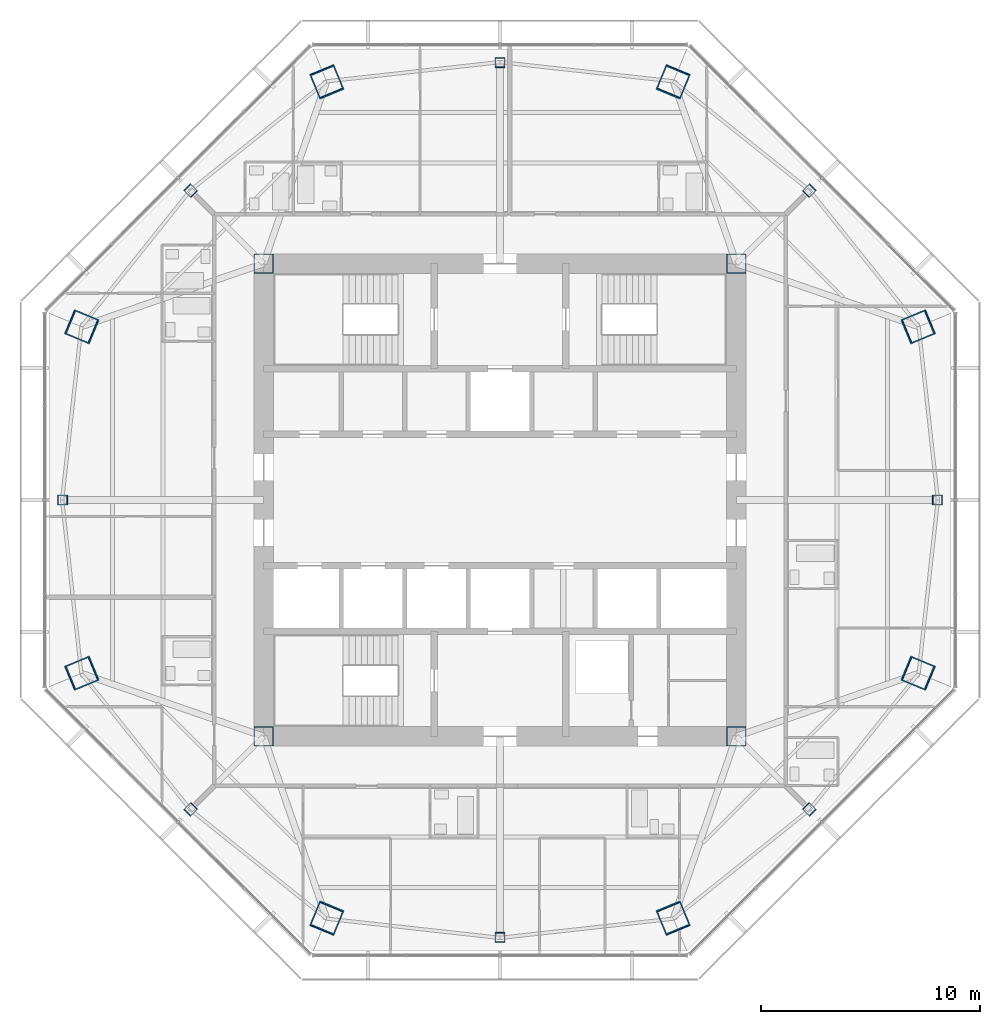
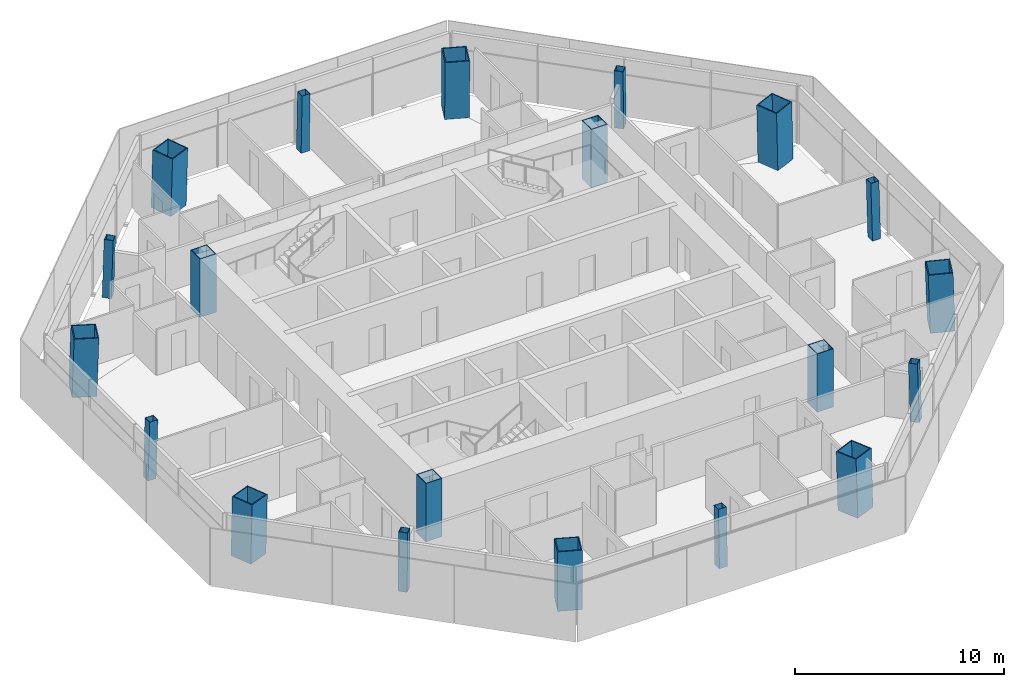
# One storey, part 1 of 14: 20 columns.
"""IFC4 building model written with IfcOpenShell, lengths in metres."""

import ifcopenshell
import ifcopenshell.guid

model = None  # the IFC model being written
_history = None  # IfcOwnerHistory: only IFC2X3 demands one
_inside = {}  # id of a spatial element -> (the spatial element, [elements in it])
_under = {}  # id of a project, library or spatial element -> (it, [spatial elements below it])
_declared = {}  # id of a project -> (the project, [libraries it declares])
_typed = {}  # id of a type object -> (the type object, [elements of that type])
_made_of = {}  # id of a material, layer set ... -> (it, [elements and type objects made of it])


def new_model(schema):
    """Start an empty IFC model of exactly this schema.

    Asked for "IFC4X3", IfcOpenShell would pick the latest addendum, in which some entities
    have other attributes; the version numbers below select the first issue.
    IFC2X3 requires an IfcOwnerHistory on every rooted entity: one is made here for all.
    """
    global model, _history
    if schema == "IFC4X3":
        model = ifcopenshell.file(schema_version=(4, 3, 0, 0))
    else:
        model = ifcopenshell.file(schema=schema)
    _inside.clear()
    _under.clear()
    _declared.clear()
    _typed.clear()
    _made_of.clear()
    _history = None
    if model.schema == "IFC2X3":
        org = make("IfcOrganization", Name="unknown")
        user = make(
            "IfcPersonAndOrganization",
            ThePerson=make("IfcPerson", FamilyName="unknown"),
            TheOrganization=org,
        )
        app = make(
            "IfcApplication",
            ApplicationDeveloper=org,
            Version="unknown",
            ApplicationFullName="unknown",
            ApplicationIdentifier="unknown",
        )
        _history = make(
            "IfcOwnerHistory",
            OwningUser=user,
            OwningApplication=app,
            ChangeAction="ADDED",
            CreationDate=0,
        )
    return model


def make(cls, **values):
    """One entity of the class cls with the attributes given. An attribute that is None is left unset."""
    return model.create_entity(
        cls, **{name: value for name, value in values.items() if value is not None}
    )


def rooted(cls, **values):
    """An entity with a GlobalId (a new one), such as an element, a storey or a relation."""
    return make(cls, GlobalId=ifcopenshell.guid.new(), OwnerHistory=_history, **values)


def si_unit(unit_type, name, prefix=None):
    """IfcSIUnit, for example si_unit("LENGTHUNIT", "METRE", prefix="MILLI")."""
    return make("IfcSIUnit", UnitType=unit_type, Prefix=prefix, Name=name)


def assignment(units):
    """IfcUnitAssignment: the units of a project."""
    return None if units is None else make("IfcUnitAssignment", Units=units)


def point(xyz):
    """IfcCartesianPoint."""
    return None if xyz is None else make("IfcCartesianPoint", Coordinates=xyz)


def direction(xyz):
    """IfcDirection."""
    return None if xyz is None else make("IfcDirection", DirectionRatios=xyz)


def frame(location, z_axis=None, x_axis=None):
    """IfcAxis2Placement3D, a coordinate frame: its origin and axes. An axis left out is left unset."""
    return make(
        "IfcAxis2Placement3D",
        Location=point(location),
        Axis=direction(z_axis),
        RefDirection=direction(x_axis),
    )


def frame_2d(location, x_axis=None):
    """IfcAxis2Placement2D, a coordinate frame in the plane: its origin and x axis."""
    return make(
        "IfcAxis2Placement2D", Location=point(location), RefDirection=direction(x_axis)
    )


def origin():
    """The frame at (0, 0, 0) with its axes left unset."""
    return frame((0.0, 0.0, 0.0))


def origin_2d():
    """The frame at (0, 0) in the plane with its x axis left unset."""
    return frame_2d((0.0, 0.0))


def place(relative_to, where):
    """IfcLocalPlacement: puts the frame where relative to a parent placement (None: the world)."""
    return make(
        "IfcLocalPlacement", PlacementRelTo=relative_to, RelativePlacement=where
    )


def context(
    kind, dimensions, precision=None, world=None, true_north=None, identifier=None
):
    """IfcGeometricRepresentationContext, for example the 3D "Model" context."""
    return make(
        "IfcGeometricRepresentationContext",
        ContextIdentifier=identifier,
        ContextType=kind,
        CoordinateSpaceDimension=dimensions,
        Precision=precision,
        WorldCoordinateSystem=world,
        TrueNorth=true_north,
    )


def subcontext(parent, identifier, kind, view, scale=None):
    """IfcGeometricRepresentationSubContext, for example "Body" below "Model"."""
    return make(
        "IfcGeometricRepresentationSubContext",
        ContextIdentifier=identifier,
        ContextType=kind,
        ParentContext=parent,
        TargetScale=scale,
        TargetView=view,
    )


def project(units=None, contexts=None):
    """IfcProject with its units and contexts."""
    return rooted(
        "IfcProject",
        Name="project",
        RepresentationContexts=contexts,
        UnitsInContext=assignment(units),
    )


def spatial(cls, under=None, at=None, **own):
    """A site, building, storey or space (cls), placed at a placement, below another one or the project."""
    s = rooted(cls, ObjectPlacement=at, **own)
    if under is not None:
        _under.setdefault(under.id(), (under, []))[1].append(s)
    return s


def profile(cls, at=None, kind="AREA", **sizes):
    """A parametric profile (cls). Its sizes go by their IFC names, for example OverallWidth=200.0."""
    return make(cls, ProfileType=kind, Position=at, **sizes)


def hollow_rectangle(**sizes):
    """IfcRectangleHollowProfileDef."""
    return profile("IfcRectangleHollowProfileDef", **sizes)


def extrude(swept, where, along, depth):
    """IfcExtrudedAreaSolid: the profile swept, set in the frame where, extruded along a direction by depth."""
    return make(
        "IfcExtrudedAreaSolid",
        SweptArea=swept,
        Position=where,
        ExtrudedDirection=direction(along),
        Depth=depth,
    )


def shape(context_of_items, identifier, shape_type, items):
    """IfcShapeRepresentation: the items that make up one representation, for example the "Body"."""
    return make(
        "IfcShapeRepresentation",
        ContextOfItems=context_of_items,
        RepresentationIdentifier=identifier,
        RepresentationType=shape_type,
        Items=items,
    )


def material(Name=None, Category=None):
    """IfcMaterial."""
    return make("IfcMaterial", Name=Name, Category=Category)


def material_profile(
    of_material, cross_section, Name=None, Category=None, Priority=None
):
    """IfcMaterialProfile: a cross section and its material."""
    return make(
        "IfcMaterialProfile",
        Name=Name,
        Material=of_material,
        Profile=cross_section,
        Priority=Priority,
        Category=Category,
    )


def profile_set(profiles, Name=None, composite=None):
    """IfcMaterialProfileSet."""
    return make(
        "IfcMaterialProfileSet",
        Name=Name,
        MaterialProfiles=profiles,
        CompositeProfile=composite,
    )


def made_of(thing, what):
    """Note that an element or type object is made of a material, layer set ...; save() writes the relation."""
    if what is not None:
        _made_of.setdefault(what.id(), (what, []))[1].append(thing)
    return thing


def type_object(cls, material=None, **own):
    """A type object (cls), such as IfcWallType, which elements share."""
    return made_of(rooted(cls, **own), material)


def element(
    cls,
    number,
    at=None,
    inside=None,
    cuts=None,
    type_object=None,
    material=None,
    context=None,
    identifier="Body",
    shape_type=None,
    held_by="IfcProductDefinitionShape",
    body=None,
    shapes=None,
    **own,
):
    """One element of the class cls, such as IfcWall. Its Tag is "e" and its number.

    at: its placement. inside: the storey or other place that contains it. cuts: it is an
    opening in that element (IfcRelVoidsElement). A single representation is given by context,
    identifier, shape_type and body (its items); several are given by shapes. held_by: the class
    of the entity that holds the representations. save() writes the other relations.
    """
    e = rooted(cls, Tag="e%d" % number, ObjectPlacement=at, **own)
    if body is not None:
        shapes = [shape(context, identifier, shape_type, body)]
    if shapes is not None:
        e.Representation = make(held_by, Representations=shapes)
    if inside is not None:
        _inside.setdefault(inside.id(), (inside, []))[1].append(e)
    if cuts is not None:
        rooted(
            "IfcRelVoidsElement", RelatingBuildingElement=cuts, RelatedOpeningElement=e
        )
    if type_object is not None:
        _typed.setdefault(type_object.id(), (type_object, []))[1].append(e)
    return made_of(e, material)


def aggregate(whole, parts):
    """IfcRelAggregates: a whole, such as a stair, and the parts it consists of."""
    return rooted("IfcRelAggregates", RelatingObject=whole, RelatedObjects=parts)


def save(model, path):
    """Write the relations noted so far, then the file.

    IfcRelAggregates (storeys below a building ...), IfcRelContainedInSpatialStructure (elements
    in a storey), IfcRelDefinesByType, IfcRelAssociatesMaterial and IfcRelDeclares: one each for
    every whole, place, type object, material and project.
    """
    for whole, parts in _under.values():
        aggregate(whole, parts)
    for where, things in _inside.values():
        rooted(
            "IfcRelContainedInSpatialStructure",
            RelatedElements=things,
            RelatingStructure=where,
        )
    for kind, things in _typed.values():
        rooted("IfcRelDefinesByType", RelatedObjects=things, RelatingType=kind)
    for what, things in _made_of.values():
        rooted("IfcRelAssociatesMaterial", RelatedObjects=things, RelatingMaterial=what)
    for by, libraries in _declared.values():
        rooted("IfcRelDeclares", RelatingContext=by, RelatedDefinitions=libraries)
    model.write(path)


model = new_model("IFC4")

# Units and contexts
model_context = context("Model", 3, precision=1e-05, world=origin(), true_north=direction((0.0, 1.0)))
body_context = subcontext(model_context, "Body", "Model", "MODEL_VIEW")
ifc_project = project(units=[si_unit("LENGTHUNIT", "METRE"), si_unit("AREAUNIT", "SQUARE_METRE"), si_unit("VOLUMEUNIT", "CUBIC_METRE"), si_unit("PLANEANGLEUNIT", "RADIAN"), si_unit("MASSUNIT", "GRAM", prefix="KILO")], contexts=[model_context])

# Site, building, storey
site_placement = place(None, origin())
site = spatial("IfcSite", under=ifc_project, at=site_placement, CompositionType="ELEMENT")
building_placement = place(site_placement, origin())
building = spatial("IfcBuilding", under=site, at=building_placement, Name="Mashrafa Tower", CompositionType="ELEMENT")
storey_placement = place(building_placement, frame((0.0, 0.0, 255.0)))
storey = spatial("IfcBuildingStorey", under=building, at=storey_placement, Name="L61", CompositionType="ELEMENT", Elevation=255.0)

# Columns
ifc_material_1 = material(Name="Steel ASTM A572 Gr 50", Category="steel")
ifc_material_profile_1 = material_profile(ifc_material_1, hollow_rectangle(XDim=0.89990234375, YDim=0.89990234375, WallThickness=0.0400390625, at=origin_2d()), Name="BOX900X900X40")
ifc_profile_set_1 = profile_set([ifc_material_profile_1], Name="Steel ASTM A572 Gr 50")
column_type_1 = type_object("IfcColumnType", Name="Core corner column BOX900X900X40", PredefinedType="COLUMN", material=ifc_profile_set_1)
for number, where, z_axis, x_axis, name in (
    (1, (10.800048828125, 10.800048828125, 0.0), (0.0, 0.0, 1.0), (1.0, 0.0, 0.0), "Core corner column CC-NE L61"),
    (2, (-10.800048828125, 10.800048828125, 0.0), (0.0, 0.0, 1.0), (1.0, 0.0, 0.0), "Core corner column CC-NW L61"),
    (3, (-10.800048828125, -10.800048828125, 0.0), (0.0, 0.0, 1.0), (1.0, 0.0, 0.0), "Core corner column CC-SW L61"),
    (4, (10.800048828125, -10.800048828125, 0.0), (0.0, 0.0, 1.0), (1.0, 0.0, 0.0), "Core corner column CC-SE L61"),
):
    element("IfcColumn", number, at=place(storey_placement, frame(where, z_axis=z_axis, x_axis=x_axis)), inside=storey, type_object=column_type_1, Name=name, PredefinedType="COLUMN", context=body_context, shape_type="SweptSolid", body=[
        extrude(hollow_rectangle(XDim=0.89990234375, YDim=0.89990234375, WallThickness=0.0400390625, at=origin_2d()), origin(), (0.0, 0.0, 1.0), 3.39990234375),
    ])
ifc_material_2 = material(Name="Steel ASTM A572 Gr 50", Category="steel")
ifc_material_profile_2 = material_profile(ifc_material_2, hollow_rectangle(XDim=1.199951171875, YDim=1.199951171875, WallThickness=0.054931640625, at=origin_2d()), Name="BOX1200X1200X55")
ifc_profile_set_2 = profile_set([ifc_material_profile_2], Name="Steel ASTM A572 Gr 50")
column_type_2 = type_object("IfcColumnType", Name="Mega column CFST BOX1200X1200X55", PredefinedType="COLUMN", material=ifc_profile_set_2)
for number, where, z_axis, x_axis, name in (
    (5, (19.122802734375, 7.9208984375, 0.0), (-0.028207433197, -0.011699266186, 0.999533625189), (0.383112853862, -0.92370154336, 0.0), "Mega column MC1 L61"),
    (6, (7.9208984375, 19.122802734375, 0.0), (-0.011699266186, -0.028207433197, 0.999533625189), (0.92370154336, -0.383112853862, 0.0), "Mega column MC2 L61"),
    (7, (-7.9208984375, 19.122802734375, 0.0), (0.011699266186, -0.028207433197, 0.999533625189), (0.92370154336, 0.383112853862, 0.0), "Mega column MC3 L61"),
    (8, (-19.122802734375, 7.9208984375, 0.0), (0.028207433197, -0.011699266186, 0.999533625189), (0.383112853862, 0.92370154336, 0.0), "Mega column MC4 L61"),
    (9, (-19.122802734375, -7.9208984375, 0.0), (0.028207433197, 0.011699266186, 0.999533625189), (-0.383112853862, 0.92370154336, 0.0), "Mega column MC5 L61"),
    (10, (-7.9208984375, -19.122802734375, 0.0), (0.011699266186, 0.028207433197, 0.999533625189), (-0.92370154336, 0.383112853862, 0.0), "Mega column MC6 L61"),
    (11, (7.9208984375, -19.122802734375, 0.0), (-0.011699266186, 0.028207433197, 0.999533625189), (-0.92370154336, -0.383112853862, 0.0), "Mega column MC7 L61"),
    (12, (19.122802734375, -7.9208984375, 0.0), (-0.028207433197, 0.011699266186, 0.999533625189), (-0.383112853862, -0.92370154336, 0.0), "Mega column MC8 L61"),
):
    element("IfcColumn", number, at=place(storey_placement, frame(where, z_axis=z_axis, x_axis=x_axis)), inside=storey, type_object=column_type_2, Name=name, PredefinedType="COLUMN", context=body_context, shape_type="SweptSolid", body=[
        extrude(hollow_rectangle(XDim=1.199951171875, YDim=1.199951171875, WallThickness=0.054931640625, at=origin_2d()), origin(), (0.0, 0.0, 1.0), 3.4013671875),
    ])
ifc_material_3 = material(Name="Steel ASTM A572 Gr 50", Category="steel")
ifc_material_profile_3 = material_profile(ifc_material_3, hollow_rectangle(XDim=0.449951171875, YDim=0.449951171875, WallThickness=0.02001953125, at=origin_2d()), Name="BOX450X450X20")
ifc_profile_set_3 = profile_set([ifc_material_profile_3], Name="Steel ASTM A572 Gr 50")
column_type_3 = type_object("IfcColumnType", Name="Secondary column BOX450X450X20", PredefinedType="COLUMN", material=ifc_profile_set_3)
for number, where, z_axis, x_axis, name in (
    (13, (20.001220703125, 0.0, 0.0), (-0.028281086024, 0.0, 0.999600010091), (0.0, -1.0, 0.0), "Secondary column SC1 L61"),
    (14, (14.142822265625, 14.142822265625, 0.0), (-0.01995470925, -0.01995470925, 0.999601730269), (0.707106781187, -0.707106781187, 0.0), "Secondary column SC2 L61"),
    (15, (0.0, 20.001220703125, 0.0), (0.0, -0.028281086024, 0.999600010091), (1.0, 0.0, 0.0), "Secondary column SC3 L61"),
    (16, (-14.142822265625, 14.142822265625, 0.0), (0.01995470925, -0.01995470925, 0.999601730269), (0.707106781187, 0.707106781187, 0.0), "Secondary column SC4 L61"),
    (17, (-20.001220703125, 0.0, 0.0), (0.028281086024, 0.0, 0.999600010091), (0.0, 1.0, 0.0), "Secondary column SC5 L61"),
    (18, (-14.142822265625, -14.142822265625, 0.0), (0.01995470925, 0.01995470925, 0.999601730269), (-0.707106781187, 0.707106781187, 0.0), "Secondary column SC6 L61"),
    (19, (0.0, -20.001220703125, 0.0), (0.0, 0.028281086024, 0.999600010091), (-1.0, 0.0, 0.0), "Secondary column SC7 L61"),
    (20, (14.142822265625, -14.142822265625, 0.0), (-0.01995470925, 0.01995470925, 0.999601730269), (-0.707106781187, -0.707106781187, 0.0), "Secondary column SC8 L61"),
):
    element("IfcColumn", number, at=place(storey_placement, frame(where, z_axis=z_axis, x_axis=x_axis)), inside=storey, type_object=column_type_3, Name=name, PredefinedType="COLUMN", context=body_context, shape_type="SweptSolid", body=[
        extrude(hollow_rectangle(XDim=0.449951171875, YDim=0.449951171875, WallThickness=0.02001953125, at=origin_2d()), origin(), (0.0, 0.0, 1.0), 3.4013671875),
    ])

save(model, "model.ifc")
